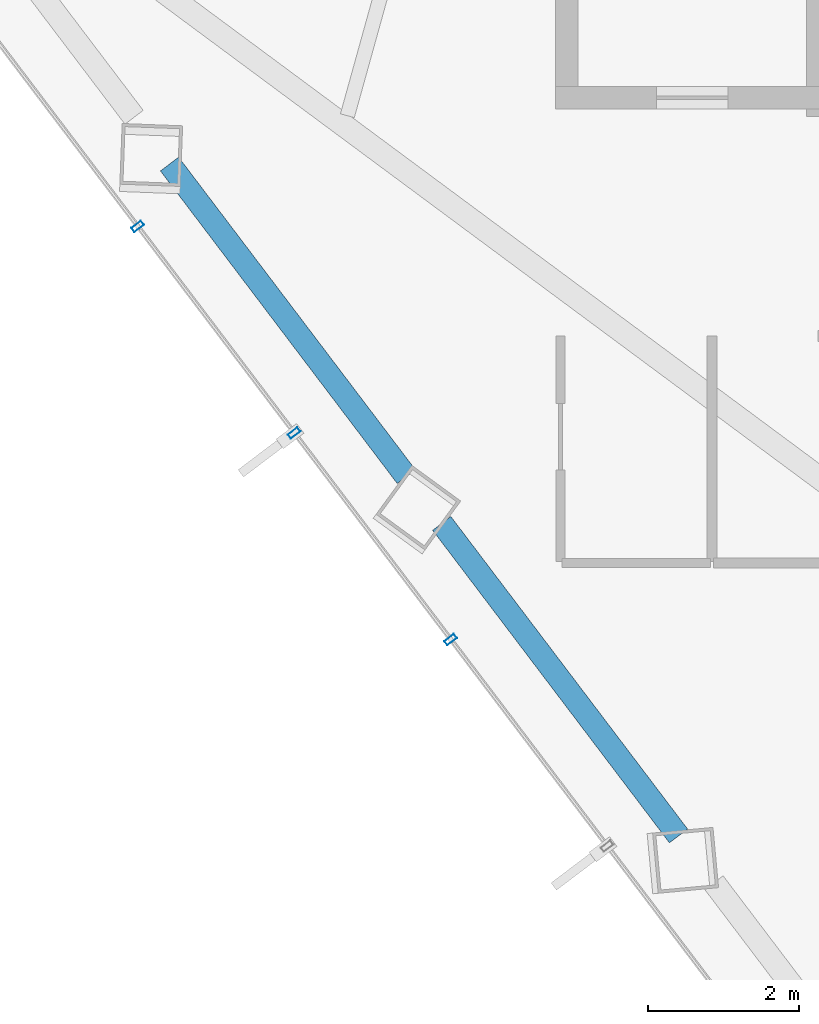
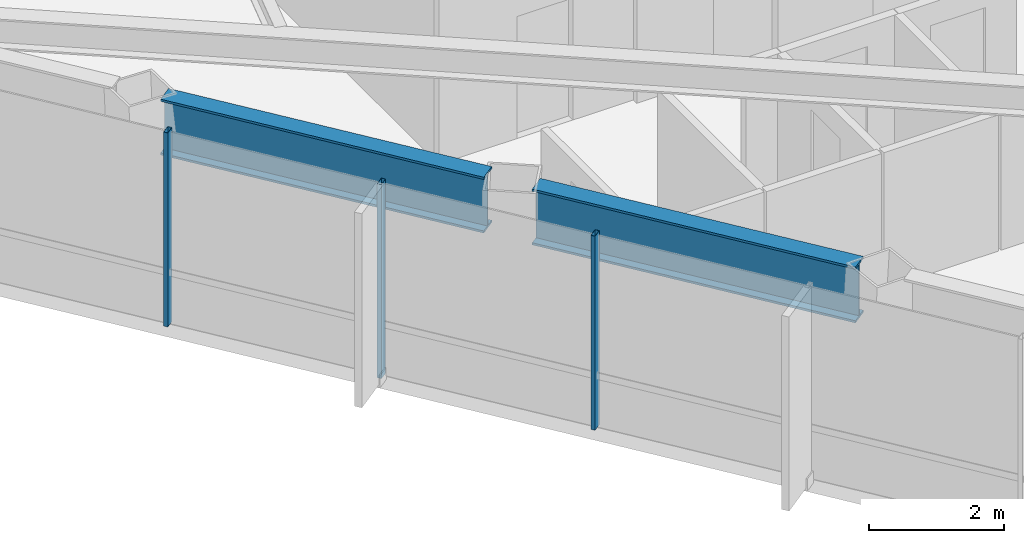
# One storey, part 4 of 29: 3 members, 2 beams, 1 element without a shape of its own.
"""IFC4 building model written with IfcOpenShell, lengths in metres."""

import ifcopenshell
import ifcopenshell.guid

model = None  # the IFC model being written
_history = None  # IfcOwnerHistory: only IFC2X3 demands one
_inside = {}  # id of a spatial element -> (the spatial element, [elements in it])
_under = {}  # id of a project, library or spatial element -> (it, [spatial elements below it])
_declared = {}  # id of a project -> (the project, [libraries it declares])
_typed = {}  # id of a type object -> (the type object, [elements of that type])
_made_of = {}  # id of a material, layer set ... -> (it, [elements and type objects made of it])


def new_model(schema):
    """Start an empty IFC model of exactly this schema.

    Asked for "IFC4X3", IfcOpenShell would pick the latest addendum, in which some entities
    have other attributes; the version numbers below select the first issue.
    IFC2X3 requires an IfcOwnerHistory on every rooted entity: one is made here for all.
    """
    global model, _history
    if schema == "IFC4X3":
        model = ifcopenshell.file(schema_version=(4, 3, 0, 0))
    else:
        model = ifcopenshell.file(schema=schema)
    _inside.clear()
    _under.clear()
    _declared.clear()
    _typed.clear()
    _made_of.clear()
    _history = None
    if model.schema == "IFC2X3":
        org = make("IfcOrganization", Name="unknown")
        user = make(
            "IfcPersonAndOrganization",
            ThePerson=make("IfcPerson", FamilyName="unknown"),
            TheOrganization=org,
        )
        app = make(
            "IfcApplication",
            ApplicationDeveloper=org,
            Version="unknown",
            ApplicationFullName="unknown",
            ApplicationIdentifier="unknown",
        )
        _history = make(
            "IfcOwnerHistory",
            OwningUser=user,
            OwningApplication=app,
            ChangeAction="ADDED",
            CreationDate=0,
        )
    return model


def make(cls, **values):
    """One entity of the class cls with the attributes given. An attribute that is None is left unset."""
    return model.create_entity(
        cls, **{name: value for name, value in values.items() if value is not None}
    )


def rooted(cls, **values):
    """An entity with a GlobalId (a new one), such as an element, a storey or a relation."""
    return make(cls, GlobalId=ifcopenshell.guid.new(), OwnerHistory=_history, **values)


def si_unit(unit_type, name, prefix=None):
    """IfcSIUnit, for example si_unit("LENGTHUNIT", "METRE", prefix="MILLI")."""
    return make("IfcSIUnit", UnitType=unit_type, Prefix=prefix, Name=name)


def assignment(units):
    """IfcUnitAssignment: the units of a project."""
    return None if units is None else make("IfcUnitAssignment", Units=units)


def point(xyz):
    """IfcCartesianPoint."""
    return None if xyz is None else make("IfcCartesianPoint", Coordinates=xyz)


def direction(xyz):
    """IfcDirection."""
    return None if xyz is None else make("IfcDirection", DirectionRatios=xyz)


def frame(location, z_axis=None, x_axis=None):
    """IfcAxis2Placement3D, a coordinate frame: its origin and axes. An axis left out is left unset."""
    return make(
        "IfcAxis2Placement3D",
        Location=point(location),
        Axis=direction(z_axis),
        RefDirection=direction(x_axis),
    )


def frame_2d(location, x_axis=None):
    """IfcAxis2Placement2D, a coordinate frame in the plane: its origin and x axis."""
    return make(
        "IfcAxis2Placement2D", Location=point(location), RefDirection=direction(x_axis)
    )


def origin():
    """The frame at (0, 0, 0) with its axes left unset."""
    return frame((0.0, 0.0, 0.0))


def origin_2d():
    """The frame at (0, 0) in the plane with its x axis left unset."""
    return frame_2d((0.0, 0.0))


def place(relative_to, where):
    """IfcLocalPlacement: puts the frame where relative to a parent placement (None: the world)."""
    return make(
        "IfcLocalPlacement", PlacementRelTo=relative_to, RelativePlacement=where
    )


def context(
    kind, dimensions, precision=None, world=None, true_north=None, identifier=None
):
    """IfcGeometricRepresentationContext, for example the 3D "Model" context."""
    return make(
        "IfcGeometricRepresentationContext",
        ContextIdentifier=identifier,
        ContextType=kind,
        CoordinateSpaceDimension=dimensions,
        Precision=precision,
        WorldCoordinateSystem=world,
        TrueNorth=true_north,
    )


def subcontext(parent, identifier, kind, view, scale=None):
    """IfcGeometricRepresentationSubContext, for example "Body" below "Model"."""
    return make(
        "IfcGeometricRepresentationSubContext",
        ContextIdentifier=identifier,
        ContextType=kind,
        ParentContext=parent,
        TargetScale=scale,
        TargetView=view,
    )


def project(units=None, contexts=None):
    """IfcProject with its units and contexts."""
    return rooted(
        "IfcProject",
        Name="project",
        RepresentationContexts=contexts,
        UnitsInContext=assignment(units),
    )


def spatial(cls, under=None, at=None, **own):
    """A site, building, storey or space (cls), placed at a placement, below another one or the project."""
    s = rooted(cls, ObjectPlacement=at, **own)
    if under is not None:
        _under.setdefault(under.id(), (under, []))[1].append(s)
    return s


def profile(cls, at=None, kind="AREA", **sizes):
    """A parametric profile (cls). Its sizes go by their IFC names, for example OverallWidth=200.0."""
    return make(cls, ProfileType=kind, Position=at, **sizes)


def hollow_rectangle(**sizes):
    """IfcRectangleHollowProfileDef."""
    return profile("IfcRectangleHollowProfileDef", **sizes)


def i_section(**sizes):
    """IfcIShapeProfileDef."""
    return profile("IfcIShapeProfileDef", **sizes)


def extrude(swept, where, along, depth):
    """IfcExtrudedAreaSolid: the profile swept, set in the frame where, extruded along a direction by depth."""
    return make(
        "IfcExtrudedAreaSolid",
        SweptArea=swept,
        Position=where,
        ExtrudedDirection=direction(along),
        Depth=depth,
    )


def shape(context_of_items, identifier, shape_type, items):
    """IfcShapeRepresentation: the items that make up one representation, for example the "Body"."""
    return make(
        "IfcShapeRepresentation",
        ContextOfItems=context_of_items,
        RepresentationIdentifier=identifier,
        RepresentationType=shape_type,
        Items=items,
    )


def material(Name=None, Category=None):
    """IfcMaterial."""
    return make("IfcMaterial", Name=Name, Category=Category)


def layer(
    of_material, thickness, ventilated=None, Name=None, Category=None, Priority=None
):
    """IfcMaterialLayer: one layer of a wall or slab, of a material (None: an air gap)."""
    return make(
        "IfcMaterialLayer",
        Material=of_material,
        LayerThickness=thickness,
        IsVentilated=ventilated,
        Name=Name,
        Category=Category,
        Priority=Priority,
    )


def layer_set(layers, Name=None):
    """IfcMaterialLayerSet."""
    return make("IfcMaterialLayerSet", MaterialLayers=layers, LayerSetName=Name)


def material_profile(
    of_material, cross_section, Name=None, Category=None, Priority=None
):
    """IfcMaterialProfile: a cross section and its material."""
    return make(
        "IfcMaterialProfile",
        Name=Name,
        Material=of_material,
        Profile=cross_section,
        Priority=Priority,
        Category=Category,
    )


def profile_set(profiles, Name=None, composite=None):
    """IfcMaterialProfileSet."""
    return make(
        "IfcMaterialProfileSet",
        Name=Name,
        MaterialProfiles=profiles,
        CompositeProfile=composite,
    )


def made_of(thing, what):
    """Note that an element or type object is made of a material, layer set ...; save() writes the relation."""
    if what is not None:
        _made_of.setdefault(what.id(), (what, []))[1].append(thing)
    return thing


def type_object(cls, material=None, **own):
    """A type object (cls), such as IfcWallType, which elements share."""
    return made_of(rooted(cls, **own), material)


def element(
    cls,
    number,
    at=None,
    inside=None,
    cuts=None,
    type_object=None,
    material=None,
    context=None,
    identifier="Body",
    shape_type=None,
    held_by="IfcProductDefinitionShape",
    body=None,
    shapes=None,
    **own,
):
    """One element of the class cls, such as IfcWall. Its Tag is "e" and its number.

    at: its placement. inside: the storey or other place that contains it. cuts: it is an
    opening in that element (IfcRelVoidsElement). A single representation is given by context,
    identifier, shape_type and body (its items); several are given by shapes. held_by: the class
    of the entity that holds the representations. save() writes the other relations.
    """
    e = rooted(cls, Tag="e%d" % number, ObjectPlacement=at, **own)
    if body is not None:
        shapes = [shape(context, identifier, shape_type, body)]
    if shapes is not None:
        e.Representation = make(held_by, Representations=shapes)
    if inside is not None:
        _inside.setdefault(inside.id(), (inside, []))[1].append(e)
    if cuts is not None:
        rooted(
            "IfcRelVoidsElement", RelatingBuildingElement=cuts, RelatedOpeningElement=e
        )
    if type_object is not None:
        _typed.setdefault(type_object.id(), (type_object, []))[1].append(e)
    return made_of(e, material)


def aggregate(whole, parts):
    """IfcRelAggregates: a whole, such as a stair, and the parts it consists of."""
    return rooted("IfcRelAggregates", RelatingObject=whole, RelatedObjects=parts)


def save(model, path):
    """Write the relations noted so far, then the file.

    IfcRelAggregates (storeys below a building ...), IfcRelContainedInSpatialStructure (elements
    in a storey), IfcRelDefinesByType, IfcRelAssociatesMaterial and IfcRelDeclares: one each for
    every whole, place, type object, material and project.
    """
    for whole, parts in _under.values():
        aggregate(whole, parts)
    for where, things in _inside.values():
        rooted(
            "IfcRelContainedInSpatialStructure",
            RelatedElements=things,
            RelatingStructure=where,
        )
    for kind, things in _typed.values():
        rooted("IfcRelDefinesByType", RelatedObjects=things, RelatingType=kind)
    for what, things in _made_of.values():
        rooted("IfcRelAssociatesMaterial", RelatedObjects=things, RelatingMaterial=what)
    for by, libraries in _declared.values():
        rooted("IfcRelDeclares", RelatingContext=by, RelatedDefinitions=libraries)
    model.write(path)


model = new_model("IFC4")

# Units and contexts
model_context = context("Model", 3, precision=1e-05, world=origin(), true_north=direction((0.0, 1.0)))
body_context = subcontext(model_context, "Body", "Model", "MODEL_VIEW")
ifc_project = project(units=[si_unit("LENGTHUNIT", "METRE"), si_unit("AREAUNIT", "SQUARE_METRE"), si_unit("VOLUMEUNIT", "CUBIC_METRE"), si_unit("PLANEANGLEUNIT", "RADIAN"), si_unit("MASSUNIT", "GRAM", prefix="KILO")], contexts=[model_context])

# Site, building, storey
site_placement = place(None, origin())
site = spatial("IfcSite", under=ifc_project, at=site_placement, CompositionType="ELEMENT")
building_placement = place(site_placement, origin())
building = spatial("IfcBuilding", under=site, at=building_placement, Name="Zarrinselat Tower", CompositionType="ELEMENT")
storey_placement = place(building_placement, frame((0.0, 0.0, 142.1201171875)))
storey = spatial("IfcBuildingStorey", under=building, at=storey_placement, Name="L34", CompositionType="ELEMENT", Elevation=142.1201171875)

# Beams
ifc_material_1 = material(Name="Steel S460M", Category="steel")
ifc_material_profile_1 = material_profile(ifc_material_1, i_section(OverallWidth=0.302001953125, OverallDepth=1.008056640625, WebThickness=0.02099609375, FlangeThickness=0.0400390625, at=origin_2d()), Name="HEM 1000")
ifc_profile_set_1 = profile_set([ifc_material_profile_1], Name="Steel S460M")
beam_type = type_object("IfcBeamType", Name="BM-HEM1000", PredefinedType="BEAM", material=ifc_profile_set_1)
beam_1_placement = place(storey_placement, frame((19.98046875, 32.423583984375, 2.995849609375), z_axis=(0.60385134038, -0.797096956914, 0.0), x_axis=(0.797096956914, 0.60385134038, 0.0)))
element("IfcBeam", 1, at=beam_1_placement, inside=storey, type_object=beam_type, Name="L34 Perimeter Spandrel Girder SP07", PredefinedType="BEAM", context=body_context, shape_type="SweptSolid", body=[
    extrude(i_section(OverallWidth=0.302001953125, OverallDepth=1.008056640625, WebThickness=0.02099609375, FlangeThickness=0.0400390625, at=origin_2d()), origin(), (0.0, 0.0, 1.0), 5.18359375),
])
beam_2_placement = place(storey_placement, frame((23.5791015625, 27.673095703125, 2.995849609375), z_axis=(0.603881263847, -0.797074287112, 0.0), x_axis=(0.797074287112, 0.603881263847, 0.0)))
element("IfcBeam", 2, at=beam_2_placement, inside=storey, type_object=beam_type, Name="L34 Perimeter Spandrel Girder SP08", PredefinedType="BEAM", context=body_context, shape_type="SweptSolid", body=[
    extrude(i_section(OverallWidth=0.302001953125, OverallDepth=1.008056640625, WebThickness=0.02099609375, FlangeThickness=0.0400390625, at=origin_2d()), origin(), (0.0, 0.0, 1.0), 5.183837890625),
])

# Curtain wall, members
ifc_material_2 = material(Name="Extruded Aluminium Alloy EN AW-6063 T6", Category="aluminium")
ifc_layer = layer(ifc_material_2, 0.175048828125)
ifc_layer_set = layer_set([ifc_layer], Name="Extruded Aluminium Alloy EN AW-6063 T6")
curtain_wall_type = type_object("IfcCurtainWallType", Name="CWS-HTL", PredefinedType="NOTDEFINED", material=ifc_layer_set)
curtain_wall_placement = place(storey_placement, origin())
curtain_wall = element("IfcCurtainWall", 3, at=curtain_wall_placement, inside=storey, type_object=curtain_wall_type, Name="L34 Unitised Curtain Wall CW-L34-E03", PredefinedType="NOTDEFINED")
ifc_material_3 = material(Name="Extruded Aluminium Alloy EN AW-6063 T6", Category="aluminium")
ifc_material_profile_2 = material_profile(ifc_material_3, hollow_rectangle(XDim=0.070068359375, YDim=0.159912109375, WallThickness=0.00390625, at=origin_2d()), Name="RHS 160x70x4")
ifc_profile_set_2 = profile_set([ifc_material_profile_2], Name="Extruded Aluminium Alloy EN AW-6063 T6")
member_type = type_object("IfcMemberType", Name="MEM-CW-MUL2", PredefinedType="MULLION", material=ifc_profile_set_2)
member_1_placement = place(storey_placement, frame((19.559814453125, 31.59912109375, 0.0), z_axis=(0.0, 0.0, 1.0), x_axis=(0.603855520216, -0.797093790407, 0.0)))
member_1 = element("IfcMember", 4, at=member_1_placement, type_object=member_type, Name="CW-L34-E03 Mullion 2", PredefinedType="MULLION", context=body_context, shape_type="SweptSolid", body=[
    extrude(hollow_rectangle(XDim=0.070068359375, YDim=0.159912109375, WallThickness=0.00390625, at=origin_2d()), origin(), (0.0, 0.0, 1.0), 3.5),
])
member_2_placement = place(storey_placement, frame((21.62841796875, 28.868408203125, 0.0), z_axis=(0.0, 0.0, 1.0), x_axis=(0.603855520216, -0.797093790407, 0.0)))
member_2 = element("IfcMember", 5, at=member_2_placement, type_object=member_type, Name="CW-L34-E03 Mullion 3", PredefinedType="MULLION", context=body_context, shape_type="SweptSolid", body=[
    extrude(hollow_rectangle(XDim=0.070068359375, YDim=0.159912109375, WallThickness=0.00390625, at=origin_2d()), origin(), (0.0, 0.0, 1.0), 3.5),
])
member_3_placement = place(storey_placement, frame((23.697021484375, 26.1376953125, 0.0), z_axis=(0.0, 0.0, 1.0), x_axis=(0.603855520216, -0.797093790407, 0.0)))
member_3 = element("IfcMember", 6, at=member_3_placement, type_object=member_type, Name="CW-L34-E03 Mullion 4", PredefinedType="MULLION", context=body_context, shape_type="SweptSolid", body=[
    extrude(hollow_rectangle(XDim=0.070068359375, YDim=0.159912109375, WallThickness=0.00390625, at=origin_2d()), origin(), (0.0, 0.0, 1.0), 3.5),
])
aggregate(curtain_wall, [member_1, member_2, member_3])

save(model, "model.ifc")
